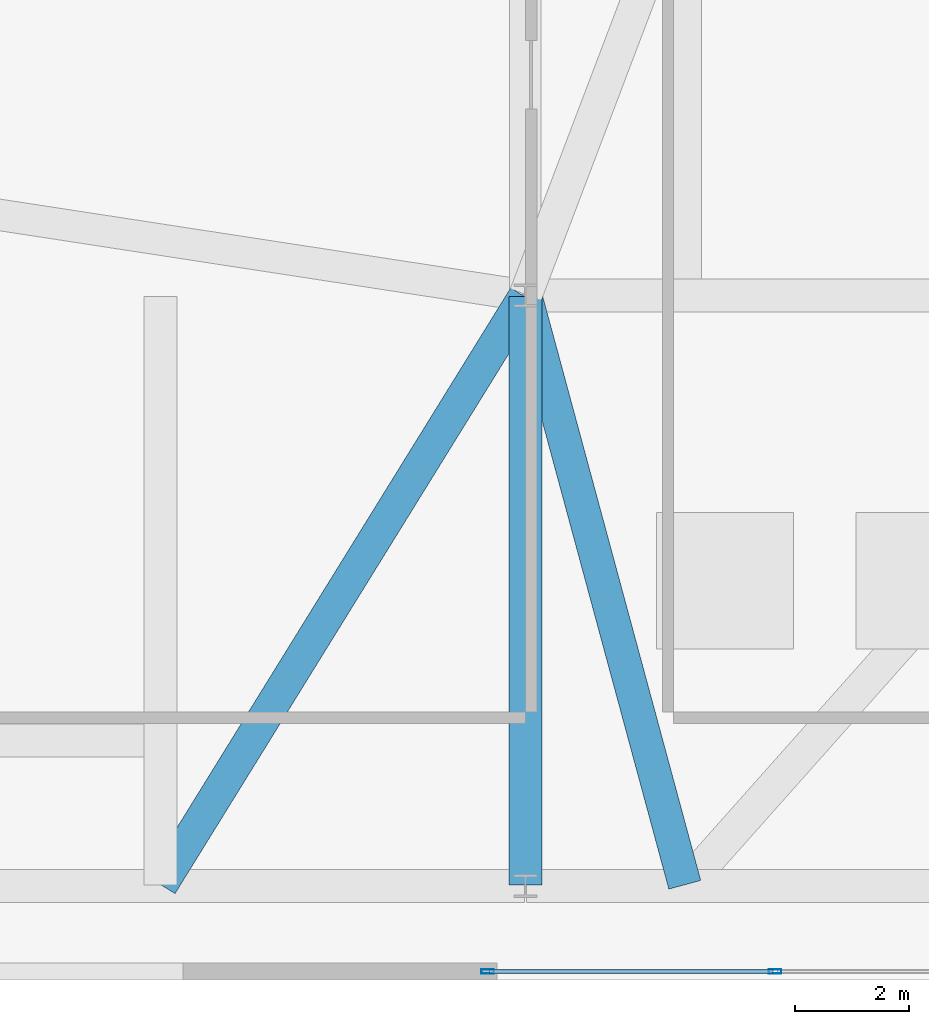
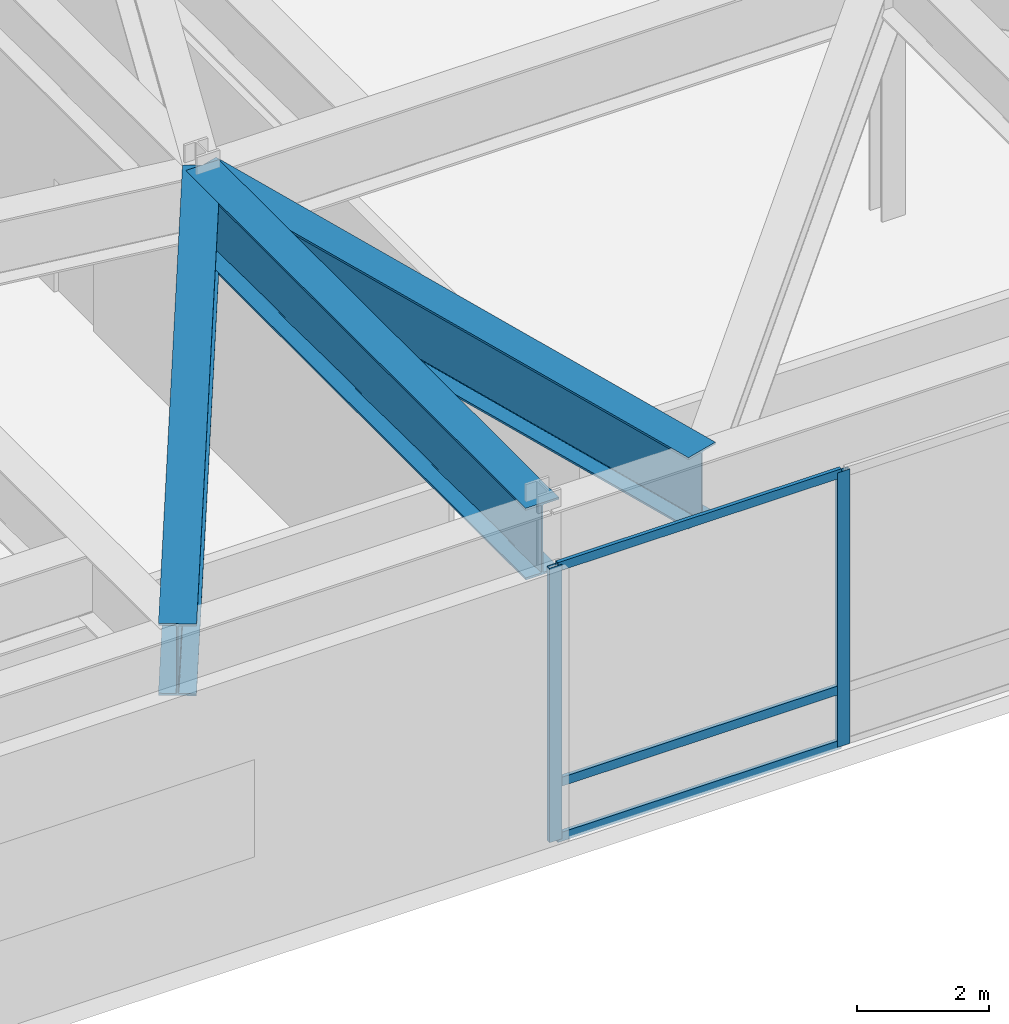
# One storey, part 4 of 16: 5 members, 3 beams, 1 element without a shape of its own.
"""IFC4 building model written with IfcOpenShell, lengths in metres."""

from ifc_helpers import new_model, si_unit, direction, frame, origin, origin_2d, place, context, subcontext, project, spatial, hollow_rectangle, i_section, extrude, source, transform, mapped, material, layer, layer_set, material_profile, profile_set, type_object, type_shapes, element, aggregate, save


model = new_model("IFC4")

# Units and contexts
model_context = context("Model", 3, precision=1e-05, world=origin(), true_north=direction((0.0, 1.0)))
body_context = subcontext(model_context, "Body", "Model", "MODEL_VIEW")
ifc_project = project(units=[si_unit("LENGTHUNIT", "METRE"), si_unit("AREAUNIT", "SQUARE_METRE"), si_unit("VOLUMEUNIT", "CUBIC_METRE"), si_unit("PLANEANGLEUNIT", "RADIAN"), si_unit("MASSUNIT", "GRAM", prefix="KILO")], contexts=[model_context])

# Site, building, storey
site_placement = place(None, origin())
site = spatial("IfcSite", under=ifc_project, at=site_placement, CompositionType="ELEMENT")
building_placement = place(site_placement, origin())
building = spatial("IfcBuilding", under=site, at=building_placement, Name="Varnel Quay Broadcast Tower", CompositionType="ELEMENT")
storey_placement = place(building_placement, frame((0.0, 0.0, 22.199951171875)))
storey = spatial("IfcBuildingStorey", under=building, at=storey_placement, Name="L04", CompositionType="ELEMENT", Elevation=22.199951171875)

# Beams
ifc_material_1 = material(Name="Structural Steel CSA G40.21 350WT", Category="steel")
ifc_material_profile_1 = material_profile(ifc_material_1, i_section(OverallWidth=0.580078125, OverallDepth=1.330078125, WebThickness=0.02197265625, FlangeThickness=0.0380859375, FilletRadius=0.02001953125, at=origin_2d()), Name="WWF1330X535")
ifc_profile_set_1 = profile_set([ifc_material_profile_1], Name="Structural Steel CSA G40.21 350WT")
beam_type = type_object("IfcBeamType", Name="Girder_WWF1330X535", PredefinedType="BEAM", material=ifc_profile_set_1)
shared_shape_1 = source(origin(), body_context, "Body", "SweptSolid", [
    extrude(i_section(OverallWidth=0.580078125, OverallDepth=1.330078125, WebThickness=0.02197265625, FlangeThickness=0.0380859375, FilletRadius=0.02001953125, at=origin_2d()), origin(), (0.0, 0.0, 1.0), 10.31005859375),
])
beam_1_placement = place(storey_placement, frame((22.0, 1.669921875, 4.4150390625), z_axis=(0.0, 1.0, 0.0), x_axis=(-1.0, 0.0, 0.0)))
element("IfcBeam", 1, at=beam_1_placement, inside=storey, type_object=beam_type, Name="L04 Transfer Girder X22-S", PredefinedType="BEAM", context=body_context, shape_type="MappedRepresentation", body=[
    mapped(shared_shape_1, transform((0.0, 0.0, 0.0), x_axis=(1.0, 0.0, 0.0), y_axis=(0.0, 1.0, 0.0), z_axis=(0.0, 0.0, 1.0), scale=1.0)),
])
shared_shape_2 = source(origin(), body_context, "Body", "SweptSolid", [
    extrude(i_section(OverallWidth=0.580078125, OverallDepth=1.330078125, WebThickness=0.02197265625, FlangeThickness=0.0380859375, FilletRadius=0.02001953125, at=origin_2d()), origin(), (0.0, 0.0, 1.0), 12.12890625),
])
beam_2_placement = place(storey_placement, frame((21.989501953125, 11.98291015625, 4.4150390625), z_axis=(-0.52592906902, -0.850528432423, 0.0), x_axis=(0.850528432423, -0.52592906902, 0.0)))
element("IfcBeam", 2, at=beam_2_placement, inside=storey, type_object=beam_type, Name="L04 Nodal Transfer Tie TC-S1-PC-04", PredefinedType="BEAM", context=body_context, shape_type="MappedRepresentation", body=[
    mapped(shared_shape_2, transform((0.0, 0.0, 0.0), x_axis=(1.0, 0.0, 0.0), y_axis=(0.0, 1.0, 0.0), z_axis=(0.0, 0.0, 1.0), scale=1.0)),
])
shared_shape_3 = source(origin(), body_context, "Body", "SweptSolid", [
    extrude(i_section(OverallWidth=0.580078125, OverallDepth=1.330078125, WebThickness=0.02197265625, FlangeThickness=0.0380859375, FilletRadius=0.02001953125, at=origin_2d()), origin(), (0.0, 0.0, 1.0), 10.68212890625),
])
type_shapes(beam_type, [shared_shape_1, shared_shape_2, shared_shape_3])
beam_3_placement = place(storey_placement, frame((22.005126953125, 11.980712890625, 4.4150390625), z_axis=(0.261161725809, -0.965295060058, 0.0), x_axis=(0.965295060058, 0.261161725809, 0.0)))
element("IfcBeam", 3, at=beam_3_placement, inside=storey, type_object=beam_type, Name="L04 Nodal Transfer Tie TC-S2-PC-04", PredefinedType="BEAM", context=body_context, shape_type="MappedRepresentation", body=[
    mapped(shared_shape_3, transform((0.0, 0.0, 0.0), x_axis=(1.0, 0.0, 0.0), y_axis=(0.0, 1.0, 0.0), z_axis=(0.0, 0.0, 1.0), scale=1.0)),
])

# Curtain wall, members
ifc_material_2 = material(Name="Anodised Bronze Aluminium 6063-T6", Category="aluminium")
ifc_layer = layer(ifc_material_2, 0.18994140625, Name="Anodised Bronze Aluminium 6063-T6")
ifc_layer_set = layer_set([ifc_layer], Name="Anodised Bronze Aluminium 6063-T6")
curtain_wall_type = type_object("IfcCurtainWallType", Name="CW_PodiumForum", PredefinedType="NOTDEFINED", material=ifc_layer_set)
curtain_wall_placement = place(storey_placement, origin())
curtain_wall = element("IfcCurtainWall", 4, at=curtain_wall_placement, inside=storey, type_object=curtain_wall_type, Name="L04 Waterfront Forum Curtain Wall", PredefinedType="NOTDEFINED")
ifc_material_profile_2 = material_profile(ifc_material_2, hollow_rectangle(XDim=0.06494140625, YDim=0.1650390625, WallThickness=0.00341796875, at=origin_2d()), Name="ALU65X165X3.5")
ifc_profile_set_2 = profile_set([ifc_material_profile_2], Name="Anodised Bronze Aluminium 6063-T6")
member_type_1 = type_object("IfcMemberType", Name="Tran_CWS-01", PredefinedType="USERDEFINED", material=ifc_profile_set_2)
shared_shape_4 = source(origin(), body_context, "Body", "SweptSolid", [
    extrude(hollow_rectangle(XDim=0.06494140625, YDim=0.1650390625, WallThickness=0.00341796875, at=origin_2d()), origin(), (0.0, 0.0, 1.0), 4.967529296875),
])
type_shapes(member_type_1, [shared_shape_4])
member_1_placement = place(storey_placement, frame((21.375, 0.14990234375, 0.032470703125), z_axis=(1.0, 0.0, 0.0), x_axis=(0.0, 1.0, 0.0)))
member_1 = element("IfcMember", 5, at=member_1_placement, type_object=member_type_1, Name="CWS-01 transom 1.1", ObjectType="TRANSOM", PredefinedType="USERDEFINED", context=body_context, shape_type="MappedRepresentation", body=[
    mapped(shared_shape_4, transform((0.0, 0.0, 0.0), x_axis=(1.0, 0.0, 0.0), y_axis=(0.0, 1.0, 0.0), z_axis=(0.0, 0.0, 1.0), scale=1.0)),
])
member_2_placement = place(storey_placement, frame((21.375, 0.14990234375, 1.050048828125), z_axis=(1.0, 0.0, 0.0), x_axis=(0.0, 1.0, 0.0)))
member_2 = element("IfcMember", 6, at=member_2_placement, type_object=member_type_1, Name="CWS-01 transom 1.2", ObjectType="TRANSOM", PredefinedType="USERDEFINED", context=body_context, shape_type="MappedRepresentation", body=[
    mapped(shared_shape_4, transform((0.0, 0.0, 0.0), x_axis=(1.0, 0.0, 0.0), y_axis=(0.0, 1.0, 0.0), z_axis=(0.0, 0.0, 1.0), scale=1.0)),
])
member_3_placement = place(storey_placement, frame((21.375, 0.14990234375, 5.047607421875), z_axis=(1.0, 0.0, 0.0), x_axis=(0.0, 1.0, 0.0)))
member_3 = element("IfcMember", 7, at=member_3_placement, type_object=member_type_1, Name="CWS-01 transom 1.3", ObjectType="TRANSOM", PredefinedType="USERDEFINED", context=body_context, shape_type="MappedRepresentation", body=[
    mapped(shared_shape_4, transform((0.0, 0.0, 0.0), x_axis=(1.0, 0.0, 0.0), y_axis=(0.0, 1.0, 0.0), z_axis=(0.0, 0.0, 1.0), scale=1.0)),
])
ifc_material_profile_3 = material_profile(ifc_material_2, hollow_rectangle(XDim=0.074951171875, YDim=0.219970703125, WallThickness=0.00390625, at=origin_2d()), Name="ALU75X220X4")
ifc_profile_set_3 = profile_set([ifc_material_profile_3], Name="Anodised Bronze Aluminium 6063-T6")
member_type_2 = type_object("IfcMemberType", Name="Mull_CWS-01", PredefinedType="MULLION", material=ifc_profile_set_3)
shared_shape_5 = source(origin(), body_context, "Body", "SweptSolid", [
    extrude(hollow_rectangle(XDim=0.074951171875, YDim=0.219970703125, WallThickness=0.00390625, at=origin_2d()), origin(), (0.0, 0.0, 1.0), 5.080078125),
])
type_shapes(member_type_2, [shared_shape_5])
member_4_placement = place(storey_placement, frame((21.33740234375, 0.14990234375, 0.0), z_axis=(0.0, 0.0, 1.0), x_axis=(0.0, 1.0, 0.0)))
member_4 = element("IfcMember", 8, at=member_4_placement, type_object=member_type_2, Name="CWS-01 mullion 1", PredefinedType="MULLION", context=body_context, shape_type="MappedRepresentation", body=[
    mapped(shared_shape_5, transform((0.0, 0.0, 0.0), x_axis=(1.0, 0.0, 0.0), y_axis=(0.0, 1.0, 0.0), z_axis=(0.0, 0.0, 1.0), scale=1.0)),
])
member_5_placement = place(storey_placement, frame((26.3798828125, 0.14990234375, 0.0), z_axis=(0.0, 0.0, 1.0), x_axis=(0.0, 1.0, 0.0)))
member_5 = element("IfcMember", 9, at=member_5_placement, type_object=member_type_2, Name="CWS-01 mullion 2", PredefinedType="MULLION", context=body_context, shape_type="MappedRepresentation", body=[
    mapped(shared_shape_5, transform((0.0, 0.0, 0.0), x_axis=(1.0, 0.0, 0.0), y_axis=(0.0, 1.0, 0.0), z_axis=(0.0, 0.0, 1.0), scale=1.0)),
])
aggregate(curtain_wall, [member_4, member_5, member_1, member_2, member_3])

save(model, "model.ifc")
